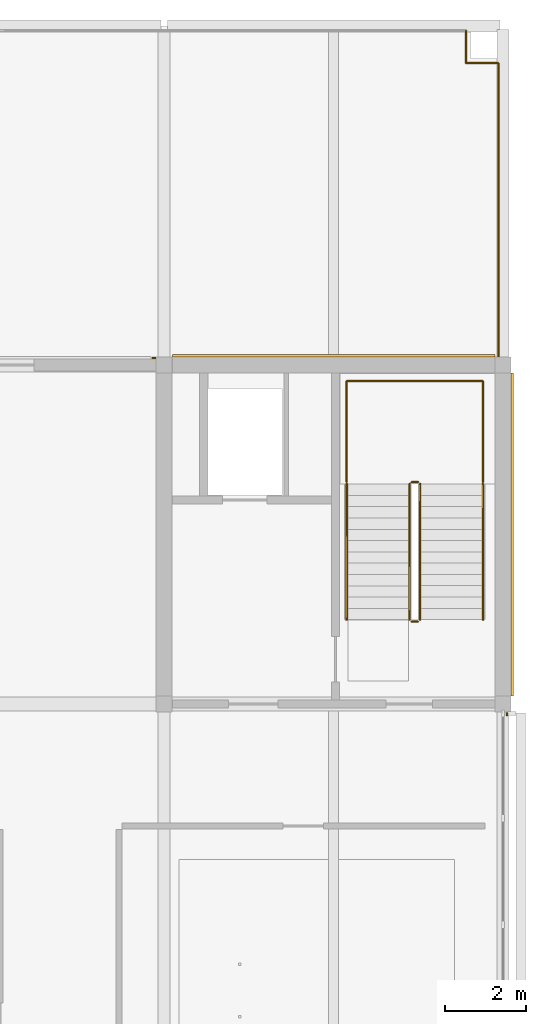
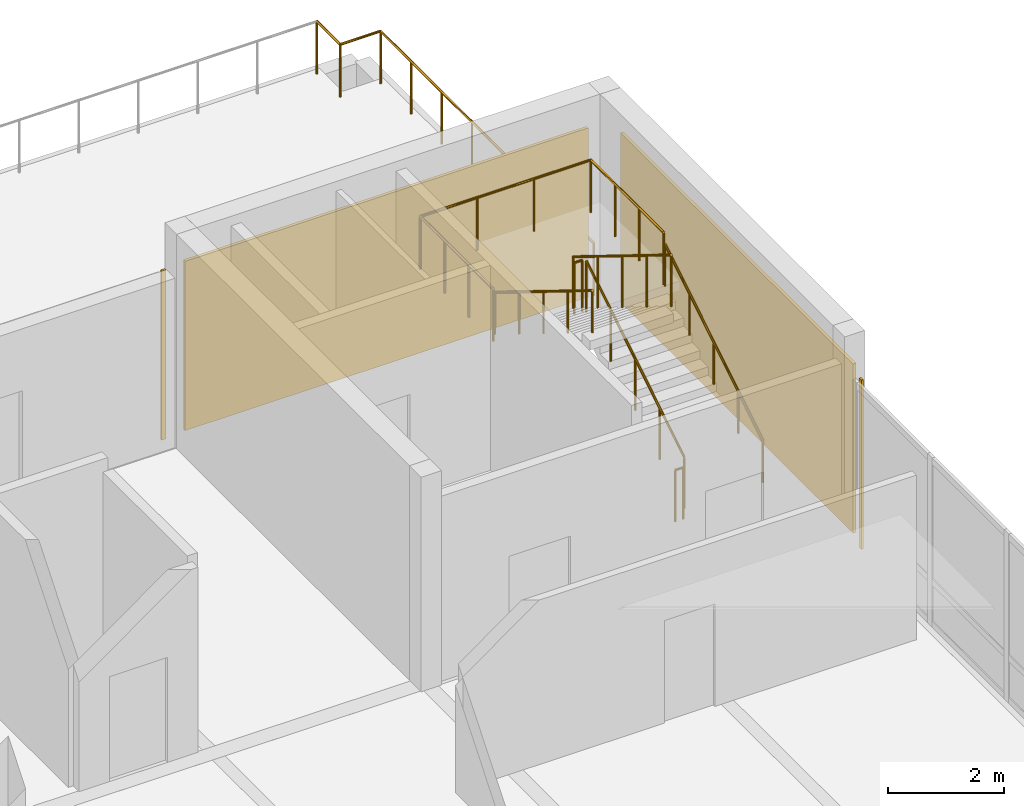
# One storey, part 24 of 25: 8 railings, 4 coverings.
"""IFC4 building model written with IfcOpenShell, lengths in metres."""

from ifc_helpers import new_model, si_unit, direction, frame, origin, origin_2d, place, context, subcontext, project, spatial, rectangle, circle, extrude, material, layer, layer_set, type_object, element, save


model = new_model("IFC4")

# Units and contexts
model_context = context("Model", 3, precision=1e-05, world=origin(), true_north=direction((0.0, 1.0)))
body_context = subcontext(model_context, "Body", "Model", "MODEL_VIEW")
ifc_project = project(units=[si_unit("LENGTHUNIT", "METRE"), si_unit("AREAUNIT", "SQUARE_METRE"), si_unit("VOLUMEUNIT", "CUBIC_METRE"), si_unit("PLANEANGLEUNIT", "RADIAN"), si_unit("MASSUNIT", "GRAM", prefix="KILO")], contexts=[model_context])

# Site, building, storey
site_placement = place(None, origin())
site = spatial("IfcSite", under=ifc_project, at=site_placement, CompositionType="ELEMENT")
building_placement = place(site_placement, origin())
building = spatial("IfcBuilding", under=site, at=building_placement, Name="Telukmera Botanical Conservatory", CompositionType="ELEMENT")
storey_placement = place(building_placement, frame((0.0, 0.0, 64.5)))
storey = spatial("IfcBuildingStorey", under=building, at=storey_placement, Name="L14", CompositionType="ELEMENT", Elevation=64.5)

# Railing
ifc_material_1 = material(Name="Brushed stainless steel grade 316", Category="steel")
railing_type_1 = type_object("IfcRailingType", Name="Exterior Terrace Safety Guardrail 1100", PredefinedType="GUARDRAIL", material=ifc_material_1)
railing_1_placement = place(storey_placement, frame((99.8798828125, 42.679931640625, 0.0400390625)))
element("IfcRailing", 1, at=railing_1_placement, inside=storey, type_object=railing_type_1, Name="Tower Sky Terrace Guardrail L14 E", PredefinedType="GUARDRAIL", context=body_context, shape_type="SweptSolid", body=[
    extrude(circle(Radius=0.02392578125, at=origin_2d()), frame((0.0, 0.0, 1.09619140625), z_axis=(0.0, -1.0, 0.0), x_axis=(1.0, 0.0, 0.0)), (0.0, 0.0, 1.0), 0.800048828125),
    extrude(circle(Radius=0.02392578125, at=origin_2d()), frame((0.0, -0.800048828125, 1.09619140625), z_axis=(1.0, 0.0, 0.0), x_axis=(0.0, 1.0, 0.0)), (0.0, 0.0, 1.0), 0.800048828125),
    extrude(circle(Radius=0.02392578125, at=origin_2d()), frame((0.800048828125, -0.800048828125, 1.09619140625), z_axis=(0.0, -1.0, 0.0), x_axis=(1.0, 0.0, 0.0)), (0.0, 0.0, 1.0), 7.329833984375),
    extrude(circle(Radius=0.02099609375, at=origin_2d()), origin(), (0.0, 0.0, 1.0), 1.072021484375),
    extrude(circle(Radius=0.02099609375, at=origin_2d()), frame((0.0, -0.800048828125, 0.0)), (0.0, 0.0, 1.0), 1.072021484375),
    extrude(circle(Radius=0.02099609375, at=origin_2d()), frame((0.800048828125, -0.800048828125, 0.0)), (0.0, 0.0, 1.0), 1.072021484375),
    extrude(circle(Radius=0.02099609375, at=origin_2d()), frame((0.800048828125, -1.84716796875, 0.0)), (0.0, 0.0, 1.0), 1.072021484375),
    extrude(circle(Radius=0.02099609375, at=origin_2d()), frame((0.800048828125, -2.894287109375, 0.0)), (0.0, 0.0, 1.0), 1.072021484375),
    extrude(circle(Radius=0.02099609375, at=origin_2d()), frame((0.800048828125, -3.94140625, 0.0)), (0.0, 0.0, 1.0), 1.072021484375),
    extrude(circle(Radius=0.02099609375, at=origin_2d()), frame((0.800048828125, -4.988525390625, 0.0)), (0.0, 0.0, 1.0), 1.072021484375),
    extrude(circle(Radius=0.02099609375, at=origin_2d()), frame((0.800048828125, -6.03564453125, 0.0)), (0.0, 0.0, 1.0), 1.072021484375),
    extrude(circle(Radius=0.02099609375, at=origin_2d()), frame((0.800048828125, -7.082763671875, 0.0)), (0.0, 0.0, 1.0), 1.072021484375),
    extrude(circle(Radius=0.02099609375, at=origin_2d()), frame((0.800048828125, -8.1298828125, 0.0)), (0.0, 0.0, 1.0), 1.072021484375),
])

# Coverings
ifc_material_2 = material(Name="Granite-faced precast concrete C40/50", Category="masonry")
ifc_layer_1 = layer(ifc_material_2, 0.0400390625)
ifc_layer_set_1 = layer_set([ifc_layer_1], Name="Granite-faced precast concrete C40/50")
covering_type_1 = type_object("IfcCoveringType", Name="Granite Precast Column Pier Reveal Casing", PredefinedType="CLADDING", material=ifc_layer_set_1)
for number, where, z_axis, x_axis, name in (
    (2, (92.14794921875, 34.570068359375, 0.0), (0.0, 0.0, 1.0), (1.0, 0.0, 0.0), "Granite Pier Reveal V4:L14:N4 R"),
    (3, (100.89990234375, 25.748046875, 0.0), (0.0, 0.0, 1.0), (0.0, 1.0, 0.0), "Granite Pier Reveal V4:L14:E2 R"),
):
    element("IfcCovering", number, at=place(storey_placement, frame(where, z_axis=z_axis, x_axis=x_axis)), inside=storey, type_object=covering_type_1, Name=name, PredefinedType="CLADDING", context=body_context, shape_type="SweptSolid", body=[
        extrude(rectangle(XDim=0.080078125, YDim=0.0400390625, at=origin_2d()), origin(), (0.0, 0.0, 1.0), 3.550048828125),
    ])

# Railings
ifc_material_3 = material(Name="Steel S355", Category="steel")
railing_type_2 = type_object("IfcRailingType", Name="RL-GUARD-1100", PredefinedType="GUARDRAIL", material=ifc_material_3)
railing_2_placement = place(storey_placement, frame((98.739990234375, 28.090087890625, 0.173095703125)))
element("IfcRailing", 4, at=railing_2_placement, inside=storey, type_object=railing_type_2, Name="L14 ST2 stair guard 1", PredefinedType="GUARDRAIL", context=body_context, shape_type="SweptSolid", body=[
    extrude(circle(Radius=0.02392578125, at=origin_2d()), frame((0.0, 0.0, 1.076171875), z_axis=(0.0, 0.850606129759, 0.525803396734), x_axis=(-1.0, 0.0, 0.0)), (0.0, 0.0, 1.0), 3.949951171875),
    extrude(circle(Radius=0.02099609375, at=origin_2d()), origin(), (0.0, 0.0, 1.0), 1.052001953125),
    extrude(circle(Radius=0.02099609375, at=origin_2d()), frame((0.0, 0.83984375, 0.519287109375)), (0.0, 0.0, 1.0), 1.052001953125),
    extrude(circle(Radius=0.02099609375, at=origin_2d()), frame((0.0, 1.679931640625, 1.03857421875)), (0.0, 0.0, 1.0), 1.052001953125),
    extrude(circle(Radius=0.02099609375, at=origin_2d()), frame((0.0, 2.52001953125, 1.5576171875)), (0.0, 0.0, 1.0), 1.052001953125),
    extrude(circle(Radius=0.02099609375, at=origin_2d()), frame((0.0, 3.35986328125, 2.076904296875)), (0.0, 0.0, 1.0), 1.052001953125),
])
railing_3_placement = place(storey_placement, frame((98.68994140625, 31.5, 2.25)))
element("IfcRailing", 5, at=railing_3_placement, inside=storey, type_object=railing_type_2, Name="L14 ST2 stair guard 2", PredefinedType="GUARDRAIL", context=body_context, shape_type="SweptSolid", body=[
    extrude(circle(Radius=0.02392578125, at=origin_2d()), frame((0.0, 0.0, 1.076171875), z_axis=(-1.0, 0.0, 0.0), x_axis=(0.0, -1.0, 0.0)), (0.0, 0.0, 1.0), 0.159912109375),
    extrude(circle(Radius=0.02099609375, at=origin_2d()), origin(), (0.0, 0.0, 1.0), 1.052001953125),
    extrude(circle(Radius=0.02099609375, at=origin_2d()), frame((-0.159912109375, 0.0, 0.0)), (0.0, 0.0, 1.0), 1.052001953125),
])
railing_4_placement = place(storey_placement, frame((98.47998046875, 31.449951171875, 2.423095703125)))
element("IfcRailing", 6, at=railing_4_placement, inside=storey, type_object=railing_type_2, Name="L14 ST2 stair guard 3", PredefinedType="GUARDRAIL", context=body_context, shape_type="SweptSolid", body=[
    extrude(circle(Radius=0.02392578125, at=origin_2d()), frame((0.0, 0.0, 1.076171875), z_axis=(0.0, -0.850606129759, 0.525803396734), x_axis=(1.0, 0.0, 0.0)), (0.0, 0.0, 1.0), 3.949951171875),
    extrude(circle(Radius=0.02099609375, at=origin_2d()), origin(), (0.0, 0.0, 1.0), 1.052001953125),
    extrude(circle(Radius=0.02099609375, at=origin_2d()), frame((0.0, -0.83984375, 0.519287109375)), (0.0, 0.0, 1.0), 1.052001953125),
    extrude(circle(Radius=0.02099609375, at=origin_2d()), frame((0.0, -1.679931640625, 1.03857421875)), (0.0, 0.0, 1.0), 1.052001953125),
    extrude(circle(Radius=0.02099609375, at=origin_2d()), frame((0.0, -2.52001953125, 1.5576171875)), (0.0, 0.0, 1.0), 1.052001953125),
    extrude(circle(Radius=0.02099609375, at=origin_2d()), frame((0.0, -3.35986328125, 2.076904296875)), (0.0, 0.0, 1.0), 1.052001953125),
])
railing_5_placement = place(storey_placement, frame((98.68994140625, 28.0400390625, 0.0)))
element("IfcRailing", 7, at=railing_5_placement, inside=storey, type_object=railing_type_2, Name="L14 ST2 stair guard 4", PredefinedType="GUARDRAIL", context=body_context, shape_type="SweptSolid", body=[
    extrude(circle(Radius=0.02392578125, at=origin_2d()), frame((0.0, 0.0, 1.076171875), z_axis=(-1.0, 0.0, 0.0), x_axis=(0.0, -1.0, 0.0)), (0.0, 0.0, 1.0), 0.159912109375),
    extrude(circle(Radius=0.02099609375, at=origin_2d()), origin(), (0.0, 0.0, 1.0), 1.052001953125),
    extrude(circle(Radius=0.02099609375, at=origin_2d()), frame((-0.159912109375, 0.0, 0.0)), (0.0, 0.0, 1.0), 1.052001953125),
])
railing_6_placement = place(storey_placement, frame((100.300048828125, 31.5, 2.25)))
element("IfcRailing", 8, at=railing_6_placement, inside=storey, type_object=railing_type_2, Name="L14 ST2 half-landing perimeter guard 1", PredefinedType="GUARDRAIL", context=body_context, shape_type="SweptSolid", body=[
    extrude(circle(Radius=0.02392578125, at=origin_2d()), frame((0.0, 0.0, 1.09619140625), z_axis=(0.0, 1.0, 0.0), x_axis=(-1.0, 0.0, 0.0)), (0.0, 0.0, 1.0), 2.5),
    extrude(circle(Radius=0.02392578125, at=origin_2d()), frame((0.0, 2.5, 1.09619140625), z_axis=(-1.0, 0.0, 0.0), x_axis=(0.0, -1.0, 0.0)), (0.0, 0.0, 1.0), 3.380126953125),
    extrude(circle(Radius=0.02392578125, at=origin_2d()), frame((-3.380126953125, 2.5, 1.09619140625), z_axis=(0.0, -1.0, 0.0), x_axis=(1.0, 0.0, 0.0)), (0.0, 0.0, 1.0), 2.5),
    extrude(circle(Radius=0.02099609375, at=origin_2d()), origin(), (0.0, 0.0, 1.0), 1.072021484375),
    extrude(circle(Radius=0.02099609375, at=origin_2d()), frame((0.0, 0.833251953125, 0.0)), (0.0, 0.0, 1.0), 1.072021484375),
    extrude(circle(Radius=0.02099609375, at=origin_2d()), frame((0.0, 1.666748046875, 0.0)), (0.0, 0.0, 1.0), 1.072021484375),
    extrude(circle(Radius=0.02099609375, at=origin_2d()), frame((0.0, 2.5, 0.0)), (0.0, 0.0, 1.0), 1.072021484375),
    extrude(circle(Radius=0.02099609375, at=origin_2d()), frame((-1.126708984375, 2.5, 0.0)), (0.0, 0.0, 1.0), 1.072021484375),
    extrude(circle(Radius=0.02099609375, at=origin_2d()), frame((-2.25341796875, 2.5, 0.0)), (0.0, 0.0, 1.0), 1.072021484375),
    extrude(circle(Radius=0.02099609375, at=origin_2d()), frame((-3.380126953125, 2.5, 0.0)), (0.0, 0.0, 1.0), 1.072021484375),
    extrude(circle(Radius=0.02099609375, at=origin_2d()), frame((-3.380126953125, 1.666748046875, 0.0)), (0.0, 0.0, 1.0), 1.072021484375),
    extrude(circle(Radius=0.02099609375, at=origin_2d()), frame((-3.380126953125, 0.833251953125, 0.0)), (0.0, 0.0, 1.0), 1.072021484375),
    extrude(circle(Radius=0.02099609375, at=origin_2d()), frame((-3.380126953125, 0.0, 0.0)), (0.0, 0.0, 1.0), 1.072021484375),
])
ifc_material_4 = material(Name="Stainless steel 316", Category="steel")
railing_type_3 = type_object("IfcRailingType", Name="RL-HAND-900", PredefinedType="HANDRAIL", material=ifc_material_4)
railing_7_placement = place(storey_placement, frame((100.300048828125, 28.090087890625, 0.173095703125)))
element("IfcRailing", 9, at=railing_7_placement, inside=storey, type_object=railing_type_3, Name="L14 ST2 stair handrail 1", PredefinedType="HANDRAIL", context=body_context, shape_type="SweptSolid", body=[
    extrude(circle(Radius=0.02392578125, at=origin_2d()), frame((0.0, 0.0, 0.8759765625), z_axis=(0.0, 0.850606129759, 0.525803396734), x_axis=(-1.0, 0.0, 0.0)), (0.0, 0.0, 1.0), 3.949951171875),
    extrude(circle(Radius=0.02099609375, at=origin_2d()), origin(), (0.0, 0.0, 1.0), 0.851806640625),
    extrude(circle(Radius=0.02099609375, at=origin_2d()), frame((0.0, 0.83984375, 0.519287109375)), (0.0, 0.0, 1.0), 0.851806640625),
    extrude(circle(Radius=0.02099609375, at=origin_2d()), frame((0.0, 1.679931640625, 1.03857421875)), (0.0, 0.0, 1.0), 0.851806640625),
    extrude(circle(Radius=0.02099609375, at=origin_2d()), frame((0.0, 2.52001953125, 1.5576171875)), (0.0, 0.0, 1.0), 0.851806640625),
    extrude(circle(Radius=0.02099609375, at=origin_2d()), frame((0.0, 3.35986328125, 2.076904296875)), (0.0, 0.0, 1.0), 0.851806640625),
])
railing_8_placement = place(storey_placement, frame((96.919921875, 31.449951171875, 2.423095703125)))
element("IfcRailing", 10, at=railing_8_placement, inside=storey, type_object=railing_type_3, Name="L14 ST2 stair handrail 2", PredefinedType="HANDRAIL", context=body_context, shape_type="SweptSolid", body=[
    extrude(circle(Radius=0.02392578125, at=origin_2d()), frame((0.0, 0.0, 0.8759765625), z_axis=(0.0, -0.850606129759, 0.525803396734), x_axis=(1.0, 0.0, 0.0)), (0.0, 0.0, 1.0), 3.949951171875),
    extrude(circle(Radius=0.02099609375, at=origin_2d()), origin(), (0.0, 0.0, 1.0), 0.851806640625),
    extrude(circle(Radius=0.02099609375, at=origin_2d()), frame((0.0, -0.83984375, 0.519287109375)), (0.0, 0.0, 1.0), 0.851806640625),
    extrude(circle(Radius=0.02099609375, at=origin_2d()), frame((0.0, -1.679931640625, 1.03857421875)), (0.0, 0.0, 1.0), 0.851806640625),
    extrude(circle(Radius=0.02099609375, at=origin_2d()), frame((0.0, -2.52001953125, 1.5576171875)), (0.0, 0.0, 1.0), 0.851806640625),
    extrude(circle(Radius=0.02099609375, at=origin_2d()), frame((0.0, -3.35986328125, 2.076904296875)), (0.0, 0.0, 1.0), 0.851806640625),
])

# Coverings
ifc_material_5 = material(Name="Terracotta-faced precast concrete C40/50", Category="masonry")
ifc_layer_2 = layer(ifc_material_5, 0.06005859375)
ifc_layer_set_2 = layer_set([ifc_layer_2], Name="Terracotta-faced precast concrete C40/50")
covering_type_2 = type_object("IfcCoveringType", Name="Terracotta Core Perimeter Cladding Panel", PredefinedType="CLADDING", material=ifc_layer_set_2)
for number, where, z_axis, x_axis, name in (
    (11, (96.60009765625, 34.6298828125, 0.0), (0.0, 0.0, 1.0), (1.0, 0.0, 0.0), "Core Perimeter Terracotta Cladding V4:L14:N5"),
    (12, (101.030029296875, 30.199951171875, 0.0), (0.0, 0.0, 1.0), (0.0, 1.0, 0.0), "Core Perimeter Terracotta Cladding V4:L14:E3"),
):
    element("IfcCovering", number, at=place(storey_placement, frame(where, z_axis=z_axis, x_axis=x_axis)), inside=storey, type_object=covering_type_2, Name=name, PredefinedType="CLADDING", context=body_context, shape_type="SweptSolid", body=[
        extrude(rectangle(XDim=7.99609375, YDim=0.06005859375, at=origin_2d()), origin(), (0.0, 0.0, 1.0), 3.550048828125),
    ])

save(model, "model.ifc")
